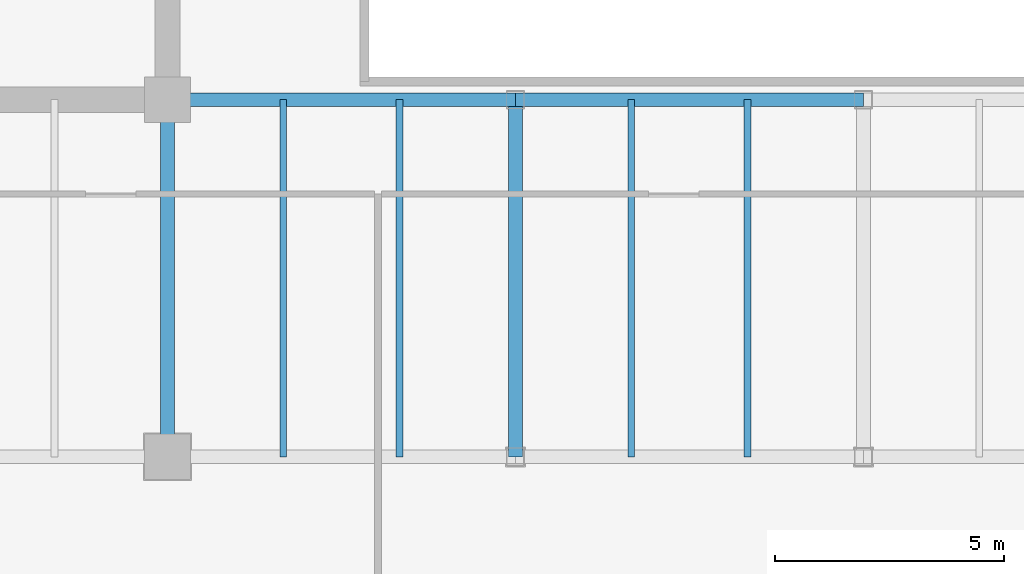
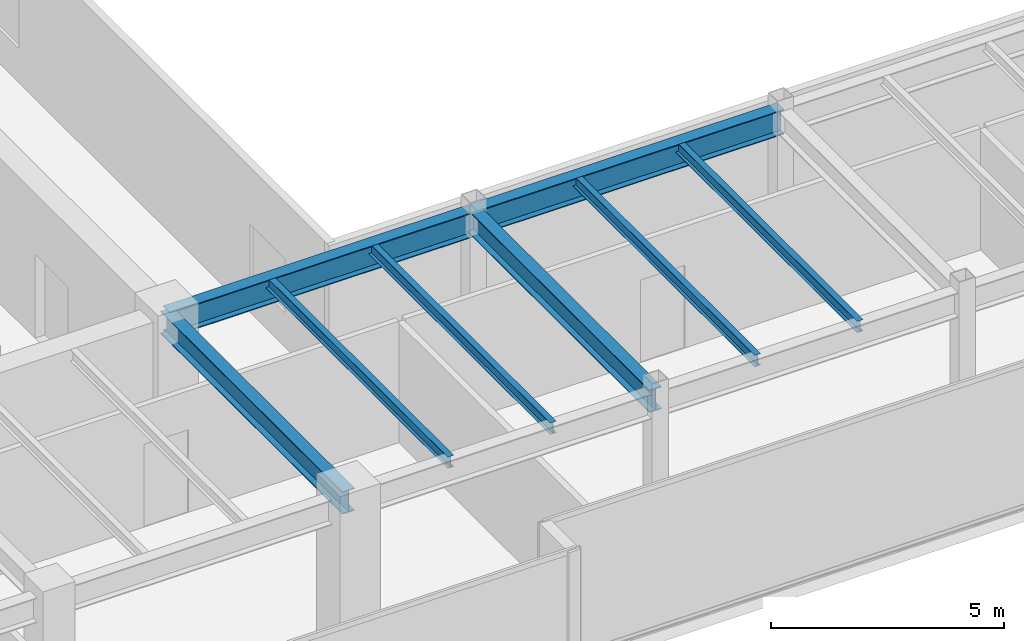
# One storey, part 8 of 35: 8 beams.
"""IFC4 building model written with IfcOpenShell, lengths in metres."""

import ifcopenshell
import ifcopenshell.guid

model = None  # the IFC model being written
_history = None  # IfcOwnerHistory: only IFC2X3 demands one
_inside = {}  # id of a spatial element -> (the spatial element, [elements in it])
_under = {}  # id of a project, library or spatial element -> (it, [spatial elements below it])
_declared = {}  # id of a project -> (the project, [libraries it declares])
_typed = {}  # id of a type object -> (the type object, [elements of that type])
_made_of = {}  # id of a material, layer set ... -> (it, [elements and type objects made of it])


def new_model(schema):
    """Start an empty IFC model of exactly this schema.

    Asked for "IFC4X3", IfcOpenShell would pick the latest addendum, in which some entities
    have other attributes; the version numbers below select the first issue.
    IFC2X3 requires an IfcOwnerHistory on every rooted entity: one is made here for all.
    """
    global model, _history
    if schema == "IFC4X3":
        model = ifcopenshell.file(schema_version=(4, 3, 0, 0))
    else:
        model = ifcopenshell.file(schema=schema)
    _inside.clear()
    _under.clear()
    _declared.clear()
    _typed.clear()
    _made_of.clear()
    _history = None
    if model.schema == "IFC2X3":
        org = make("IfcOrganization", Name="unknown")
        user = make(
            "IfcPersonAndOrganization",
            ThePerson=make("IfcPerson", FamilyName="unknown"),
            TheOrganization=org,
        )
        app = make(
            "IfcApplication",
            ApplicationDeveloper=org,
            Version="unknown",
            ApplicationFullName="unknown",
            ApplicationIdentifier="unknown",
        )
        _history = make(
            "IfcOwnerHistory",
            OwningUser=user,
            OwningApplication=app,
            ChangeAction="ADDED",
            CreationDate=0,
        )
    return model


def make(cls, **values):
    """One entity of the class cls with the attributes given. An attribute that is None is left unset."""
    return model.create_entity(
        cls, **{name: value for name, value in values.items() if value is not None}
    )


def rooted(cls, **values):
    """An entity with a GlobalId (a new one), such as an element, a storey or a relation."""
    return make(cls, GlobalId=ifcopenshell.guid.new(), OwnerHistory=_history, **values)


def si_unit(unit_type, name, prefix=None):
    """IfcSIUnit, for example si_unit("LENGTHUNIT", "METRE", prefix="MILLI")."""
    return make("IfcSIUnit", UnitType=unit_type, Prefix=prefix, Name=name)


def assignment(units):
    """IfcUnitAssignment: the units of a project."""
    return None if units is None else make("IfcUnitAssignment", Units=units)


def point(xyz):
    """IfcCartesianPoint."""
    return None if xyz is None else make("IfcCartesianPoint", Coordinates=xyz)


def direction(xyz):
    """IfcDirection."""
    return None if xyz is None else make("IfcDirection", DirectionRatios=xyz)


def frame(location, z_axis=None, x_axis=None):
    """IfcAxis2Placement3D, a coordinate frame: its origin and axes. An axis left out is left unset."""
    return make(
        "IfcAxis2Placement3D",
        Location=point(location),
        Axis=direction(z_axis),
        RefDirection=direction(x_axis),
    )


def frame_2d(location, x_axis=None):
    """IfcAxis2Placement2D, a coordinate frame in the plane: its origin and x axis."""
    return make(
        "IfcAxis2Placement2D", Location=point(location), RefDirection=direction(x_axis)
    )


def origin():
    """The frame at (0, 0, 0) with its axes left unset."""
    return frame((0.0, 0.0, 0.0))


def origin_2d():
    """The frame at (0, 0) in the plane with its x axis left unset."""
    return frame_2d((0.0, 0.0))


def place(relative_to, where):
    """IfcLocalPlacement: puts the frame where relative to a parent placement (None: the world)."""
    return make(
        "IfcLocalPlacement", PlacementRelTo=relative_to, RelativePlacement=where
    )


def context(
    kind, dimensions, precision=None, world=None, true_north=None, identifier=None
):
    """IfcGeometricRepresentationContext, for example the 3D "Model" context."""
    return make(
        "IfcGeometricRepresentationContext",
        ContextIdentifier=identifier,
        ContextType=kind,
        CoordinateSpaceDimension=dimensions,
        Precision=precision,
        WorldCoordinateSystem=world,
        TrueNorth=true_north,
    )


def subcontext(parent, identifier, kind, view, scale=None):
    """IfcGeometricRepresentationSubContext, for example "Body" below "Model"."""
    return make(
        "IfcGeometricRepresentationSubContext",
        ContextIdentifier=identifier,
        ContextType=kind,
        ParentContext=parent,
        TargetScale=scale,
        TargetView=view,
    )


def project(units=None, contexts=None):
    """IfcProject with its units and contexts."""
    return rooted(
        "IfcProject",
        Name="project",
        RepresentationContexts=contexts,
        UnitsInContext=assignment(units),
    )


def spatial(cls, under=None, at=None, **own):
    """A site, building, storey or space (cls), placed at a placement, below another one or the project."""
    s = rooted(cls, ObjectPlacement=at, **own)
    if under is not None:
        _under.setdefault(under.id(), (under, []))[1].append(s)
    return s


def profile(cls, at=None, kind="AREA", **sizes):
    """A parametric profile (cls). Its sizes go by their IFC names, for example OverallWidth=200.0."""
    return make(cls, ProfileType=kind, Position=at, **sizes)


def i_section(**sizes):
    """IfcIShapeProfileDef."""
    return profile("IfcIShapeProfileDef", **sizes)


def extrude(swept, where, along, depth):
    """IfcExtrudedAreaSolid: the profile swept, set in the frame where, extruded along a direction by depth."""
    return make(
        "IfcExtrudedAreaSolid",
        SweptArea=swept,
        Position=where,
        ExtrudedDirection=direction(along),
        Depth=depth,
    )


def shape(context_of_items, identifier, shape_type, items):
    """IfcShapeRepresentation: the items that make up one representation, for example the "Body"."""
    return make(
        "IfcShapeRepresentation",
        ContextOfItems=context_of_items,
        RepresentationIdentifier=identifier,
        RepresentationType=shape_type,
        Items=items,
    )


def source(mapping_origin, context_of_items, identifier, shape_type, items):
    """IfcRepresentationMap: a shape defined once, which mapped items show again and again."""
    return make(
        "IfcRepresentationMap",
        MappingOrigin=mapping_origin,
        MappedRepresentation=shape(context_of_items, identifier, shape_type, items),
    )


def transform(
    local_origin,
    x_axis=None,
    y_axis=None,
    z_axis=None,
    scale=None,
    scale2=None,
    scale3=None,
    uniform=True,
):
    """IfcCartesianTransformationOperator3D, or its non-uniform kind. x_axis, y_axis, z_axis: its Axis1, 2, 3."""
    if uniform:
        return make(
            "IfcCartesianTransformationOperator3D",
            Axis1=direction(x_axis),
            Axis2=direction(y_axis),
            LocalOrigin=point(local_origin),
            Scale=scale,
            Axis3=direction(z_axis),
        )
    return make(
        "IfcCartesianTransformationOperator3DnonUniform",
        Axis1=direction(x_axis),
        Axis2=direction(y_axis),
        LocalOrigin=point(local_origin),
        Scale=scale,
        Axis3=direction(z_axis),
        Scale2=scale2,
        Scale3=scale3,
    )


def mapped(mapping_source, mapping_target):
    """IfcMappedItem: shows the shape of a source again, moved by a transform."""
    return make(
        "IfcMappedItem", MappingSource=mapping_source, MappingTarget=mapping_target
    )


def material(Name=None, Category=None):
    """IfcMaterial."""
    return make("IfcMaterial", Name=Name, Category=Category)


def material_profile(
    of_material, cross_section, Name=None, Category=None, Priority=None
):
    """IfcMaterialProfile: a cross section and its material."""
    return make(
        "IfcMaterialProfile",
        Name=Name,
        Material=of_material,
        Profile=cross_section,
        Priority=Priority,
        Category=Category,
    )


def profile_set(profiles, Name=None, composite=None):
    """IfcMaterialProfileSet."""
    return make(
        "IfcMaterialProfileSet",
        Name=Name,
        MaterialProfiles=profiles,
        CompositeProfile=composite,
    )


def made_of(thing, what):
    """Note that an element or type object is made of a material, layer set ...; save() writes the relation."""
    if what is not None:
        _made_of.setdefault(what.id(), (what, []))[1].append(thing)
    return thing


def type_object(cls, material=None, **own):
    """A type object (cls), such as IfcWallType, which elements share."""
    return made_of(rooted(cls, **own), material)


def type_shapes(of_type, sources):
    """Give a type object the sources (RepresentationMaps) that its elements show as mapped items."""
    of_type.RepresentationMaps = sources


def element(
    cls,
    number,
    at=None,
    inside=None,
    cuts=None,
    type_object=None,
    material=None,
    context=None,
    identifier="Body",
    shape_type=None,
    held_by="IfcProductDefinitionShape",
    body=None,
    shapes=None,
    **own,
):
    """One element of the class cls, such as IfcWall. Its Tag is "e" and its number.

    at: its placement. inside: the storey or other place that contains it. cuts: it is an
    opening in that element (IfcRelVoidsElement). A single representation is given by context,
    identifier, shape_type and body (its items); several are given by shapes. held_by: the class
    of the entity that holds the representations. save() writes the other relations.
    """
    e = rooted(cls, Tag="e%d" % number, ObjectPlacement=at, **own)
    if body is not None:
        shapes = [shape(context, identifier, shape_type, body)]
    if shapes is not None:
        e.Representation = make(held_by, Representations=shapes)
    if inside is not None:
        _inside.setdefault(inside.id(), (inside, []))[1].append(e)
    if cuts is not None:
        rooted(
            "IfcRelVoidsElement", RelatingBuildingElement=cuts, RelatedOpeningElement=e
        )
    if type_object is not None:
        _typed.setdefault(type_object.id(), (type_object, []))[1].append(e)
    return made_of(e, material)


def aggregate(whole, parts):
    """IfcRelAggregates: a whole, such as a stair, and the parts it consists of."""
    return rooted("IfcRelAggregates", RelatingObject=whole, RelatedObjects=parts)


def save(model, path):
    """Write the relations noted so far, then the file.

    IfcRelAggregates (storeys below a building ...), IfcRelContainedInSpatialStructure (elements
    in a storey), IfcRelDefinesByType, IfcRelAssociatesMaterial and IfcRelDeclares: one each for
    every whole, place, type object, material and project.
    """
    for whole, parts in _under.values():
        aggregate(whole, parts)
    for where, things in _inside.values():
        rooted(
            "IfcRelContainedInSpatialStructure",
            RelatedElements=things,
            RelatingStructure=where,
        )
    for kind, things in _typed.values():
        rooted("IfcRelDefinesByType", RelatedObjects=things, RelatingType=kind)
    for what, things in _made_of.values():
        rooted("IfcRelAssociatesMaterial", RelatedObjects=things, RelatingMaterial=what)
    for by, libraries in _declared.values():
        rooted("IfcRelDeclares", RelatingContext=by, RelatedDefinitions=libraries)
    model.write(path)


model = new_model("IFC4")

# Units and contexts
model_context = context("Model", 3, precision=1e-05, world=origin(), true_north=direction((0.0, 1.0)))
body_context = subcontext(model_context, "Body", "Model", "MODEL_VIEW")
ifc_project = project(units=[si_unit("LENGTHUNIT", "METRE"), si_unit("AREAUNIT", "SQUARE_METRE"), si_unit("VOLUMEUNIT", "CUBIC_METRE"), si_unit("PLANEANGLEUNIT", "RADIAN"), si_unit("MASSUNIT", "GRAM", prefix="KILO")], contexts=[model_context])

# Site, building, storey
site_placement = place(None, origin())
site = spatial("IfcSite", under=ifc_project, at=site_placement, CompositionType="ELEMENT")
building_placement = place(site_placement, origin())
building = spatial("IfcBuilding", under=site, at=building_placement, Name="Haelvirn Gate Laboratories", CompositionType="ELEMENT")
storey_placement = place(building_placement, frame((0.0, 0.0, 226.0)))
storey = spatial("IfcBuildingStorey", under=building, at=storey_placement, Name="L54", CompositionType="ELEMENT", Elevation=226.0)

# Beams
ifc_material = material(Name="Steel SM355", Category="steel")
ifc_material_profile_1 = material_profile(ifc_material, i_section(OverallWidth=0.14990234375, OverallDepth=0.300048828125, WebThickness=0.006591796875, FlangeThickness=0.009033203125, at=origin_2d()), Name="H-300x150x6.5x9")
ifc_profile_set_1 = profile_set([ifc_material_profile_1], Name="Steel SM355")
beam_type_1 = type_object("IfcBeamType", Name="BM-J-300", PredefinedType="JOIST", material=ifc_profile_set_1)
shared_shape_1 = source(origin(), body_context, "Body", "SweptSolid", [
    extrude(i_section(OverallWidth=0.14990234375, OverallDepth=0.300048828125, WebThickness=0.006591796875, FlangeThickness=0.009033203125, at=origin_2d()), origin(), (0.0, 0.0, 1.0), 7.800048828125),
])
type_shapes(beam_type_1, [shared_shape_1])
for number, where, z_axis, x_axis, name in (
    (1, (24.72998046875, 7.0, 3.64990234375), (0.0, 1.0, 0.0), (-1.0, 0.0, 0.0), "L54 Composite Lab Joist South X24.73"),
    (2, (27.27001953125, 7.0, 3.64990234375), (0.0, 1.0, 0.0), (-1.0, 0.0, 0.0), "L54 Composite Lab Joist South X27.27"),
    (3, (32.330078125, 7.0, 3.64990234375), (0.0, 1.0, 0.0), (-1.0, 0.0, 0.0), "L54 Composite Lab Joist South X32.33"),
    (4, (34.8701171875, 7.0, 3.64990234375), (0.0, 1.0, 0.0), (-1.0, 0.0, 0.0), "L54 Composite Lab Joist South X34.87"),
):
    element("IfcBeam", number, at=place(storey_placement, frame(where, z_axis=z_axis, x_axis=x_axis)), inside=storey, type_object=beam_type_1, Name=name, PredefinedType="JOIST", context=body_context, shape_type="MappedRepresentation", body=[
        mapped(shared_shape_1, transform((0.0, 0.0, 0.0), scale=1.0)),
    ])
ifc_material_profile_2 = material_profile(ifc_material, i_section(OverallWidth=0.300048828125, OverallDepth=0.587890625, WebThickness=0.011962890625, FlangeThickness=0.02001953125, at=origin_2d()), Name="H-588x300x12x20")
ifc_profile_set_2 = profile_set([ifc_material_profile_2], Name="Steel SM355")
beam_type_2 = type_object("IfcBeamType", Name="BM-G-588", PredefinedType="BEAM", material=ifc_profile_set_2)
shared_shape_2 = source(origin(), body_context, "Body", "SweptSolid", [
    extrude(i_section(OverallWidth=0.300048828125, OverallDepth=0.587890625, WebThickness=0.011962890625, FlangeThickness=0.02001953125, at=origin_2d()), origin(), (0.0, 0.0, 1.0), 7.800048828125),
])
type_shapes(beam_type_2, [shared_shape_2])
for number, where, z_axis, x_axis, name in (
    (5, (22.199951171875, 7.0, 3.506103515625), (0.0, 1.0, 0.0), (-1.0, 0.0, 0.0), "L54 Frame Girder X22.2 (7.0-14.8)"),
    (6, (29.800048828125, 7.0, 3.506103515625), (0.0, 1.0, 0.0), (-1.0, 0.0, 0.0), "L54 Frame Girder X29.8 (7.0-14.8)"),
):
    element("IfcBeam", number, at=place(storey_placement, frame(where, z_axis=z_axis, x_axis=x_axis)), inside=storey, type_object=beam_type_2, Name=name, PredefinedType="BEAM", context=body_context, shape_type="MappedRepresentation", body=[
        mapped(shared_shape_2, transform((0.0, 0.0, 0.0), scale=1.0)),
    ])
ifc_material_profile_3 = material_profile(ifc_material, i_section(OverallWidth=0.300048828125, OverallDepth=0.64990234375, WebThickness=0.012939453125, FlangeThickness=0.02197265625, at=origin_2d()), Name="H-650x300x13x22")
ifc_profile_set_3 = profile_set([ifc_material_profile_3], Name="Steel SM355")
beam_type_3 = type_object("IfcBeamType", Name="BM-G-650", PredefinedType="BEAM", material=ifc_profile_set_3)
shared_shape_3 = source(origin(), body_context, "Body", "SweptSolid", [
    extrude(i_section(OverallWidth=0.300048828125, OverallDepth=0.64990234375, WebThickness=0.012939453125, FlangeThickness=0.02197265625, at=origin_2d()), origin(), (0.0, 0.0, 1.0), 7.60009765625),
])
beam_1_placement = place(storey_placement, frame((22.199951171875, 14.800048828125, 3.47509765625), z_axis=(1.0, 0.0, 0.0), x_axis=(0.0, 1.0, 0.0)))
element("IfcBeam", 7, at=beam_1_placement, inside=storey, type_object=beam_type_3, Name="L54 Primary Girder Y14.8 (22.2-29.8)", PredefinedType="BEAM", context=body_context, shape_type="MappedRepresentation", body=[
    mapped(shared_shape_3, transform((0.0, 0.0, 0.0), scale=1.0)),
])
shared_shape_4 = source(origin(), body_context, "Body", "SweptSolid", [
    extrude(i_section(OverallWidth=0.300048828125, OverallDepth=0.64990234375, WebThickness=0.012939453125, FlangeThickness=0.02197265625, at=origin_2d()), origin(), (0.0, 0.0, 1.0), 7.599853515625),
])
type_shapes(beam_type_3, [shared_shape_3, shared_shape_4])
beam_2_placement = place(storey_placement, frame((29.800048828125, 14.800048828125, 3.47509765625), z_axis=(1.0, 0.0, 0.0), x_axis=(0.0, 1.0, 0.0)))
element("IfcBeam", 8, at=beam_2_placement, inside=storey, type_object=beam_type_3, Name="L54 Primary Girder Y14.8 (29.8-37.4)", PredefinedType="BEAM", context=body_context, shape_type="MappedRepresentation", body=[
    mapped(shared_shape_4, transform((0.0, 0.0, 0.0), scale=1.0)),
])

save(model, "model.ifc")
